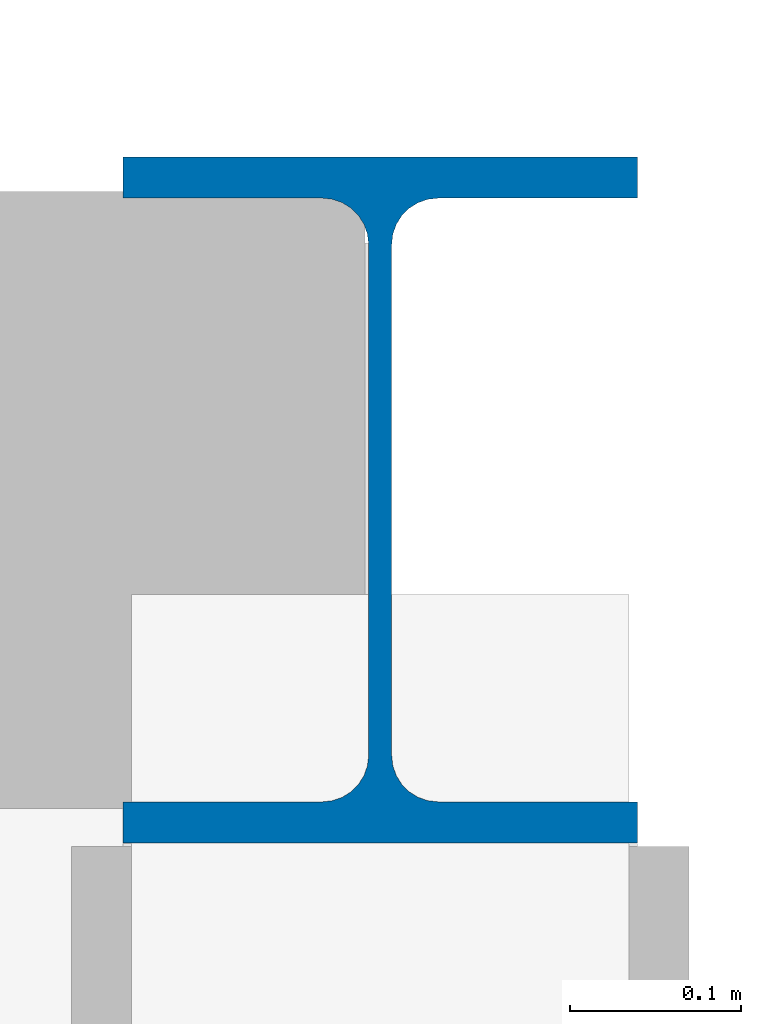
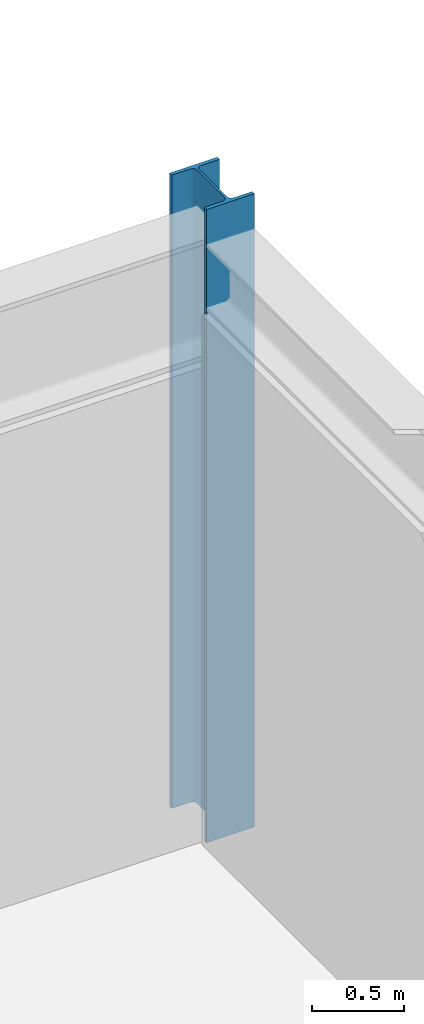
# One storey, part 11 of 88: 1 column.
"""IFC4 building model written with IfcOpenShell, lengths in metres."""

from ifc_helpers import new_model, si_unit, direction, frame, origin, origin_2d, place, context, subcontext, project, spatial, i_section, extrude, material, material_profile, profile_set, type_object, element, save


model = new_model("IFC4")

# Units and contexts
model_context = context("Model", 3, precision=1e-05, world=origin(), true_north=direction((0.0, 1.0)))
body_context = subcontext(model_context, "Body", "Model", "MODEL_VIEW")
ifc_project = project(units=[si_unit("LENGTHUNIT", "METRE"), si_unit("AREAUNIT", "SQUARE_METRE"), si_unit("VOLUMEUNIT", "CUBIC_METRE"), si_unit("PLANEANGLEUNIT", "RADIAN"), si_unit("MASSUNIT", "GRAM", prefix="KILO")], contexts=[model_context])

# Site, building, storey
site_placement = place(None, origin())
site = spatial("IfcSite", under=ifc_project, at=site_placement, CompositionType="ELEMENT")
building_placement = place(site_placement, origin())
building = spatial("IfcBuilding", under=site, at=building_placement, Name="Nordkorset Police Headquarters", CompositionType="ELEMENT")
storey_placement = place(building_placement, frame((0.0, 0.0, 9.449951171875)))
storey = spatial("IfcBuildingStorey", under=building, at=storey_placement, Name="L02", CompositionType="ELEMENT", Elevation=9.449951171875)

# Column
ifc_material = material(Name="Steel S355J2", Category="steel")
ifc_material_profile = material_profile(ifc_material, i_section(OverallWidth=0.300048828125, OverallDepth=0.39990234375, WebThickness=0.013427734375, FlangeThickness=0.02392578125, FilletRadius=0.027099609375, at=origin_2d()), Name="HEB 400")
ifc_profile_set = profile_set([ifc_material_profile], Name="Steel S355J2")
column_type = type_object("IfcColumnType", Name="Col_HEB_400", PredefinedType="COLUMN", material=ifc_profile_set)
column_placement = place(storey_placement, frame((115.199951171875, 97.60009765625, 0.0), z_axis=(0.0, 0.0, 1.0), x_axis=(1.0, 0.0, 0.0)))
element("IfcColumn", 1, at=column_placement, inside=storey, type_object=column_type, Name="Structural Column V5_X2_5 L02", PredefinedType="COLUMN", context=body_context, shape_type="SweptSolid", body=[
    extrude(i_section(OverallWidth=0.300048828125, OverallDepth=0.39990234375, WebThickness=0.013427734375, FlangeThickness=0.02392578125, FilletRadius=0.027099609375, at=origin_2d()), origin(), (0.0, 0.0, 1.0), 4.199951171875),
])

save(model, "model.ifc")
